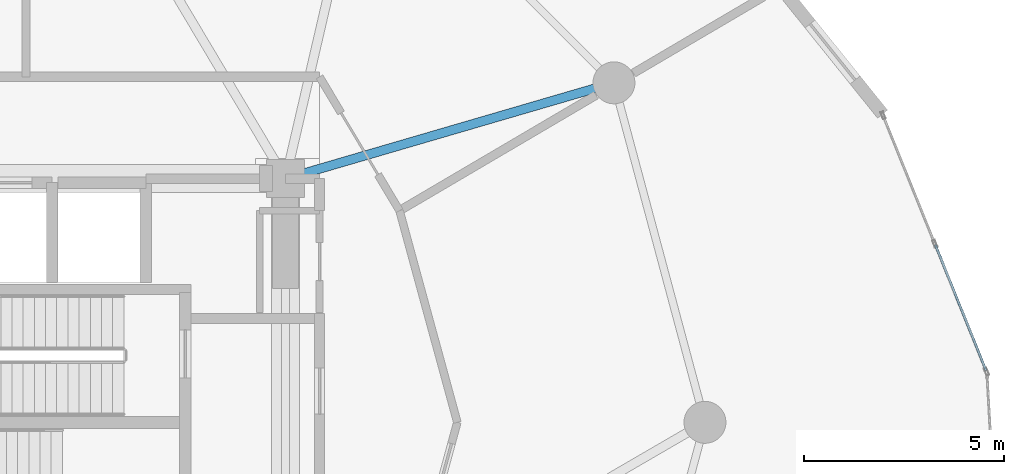
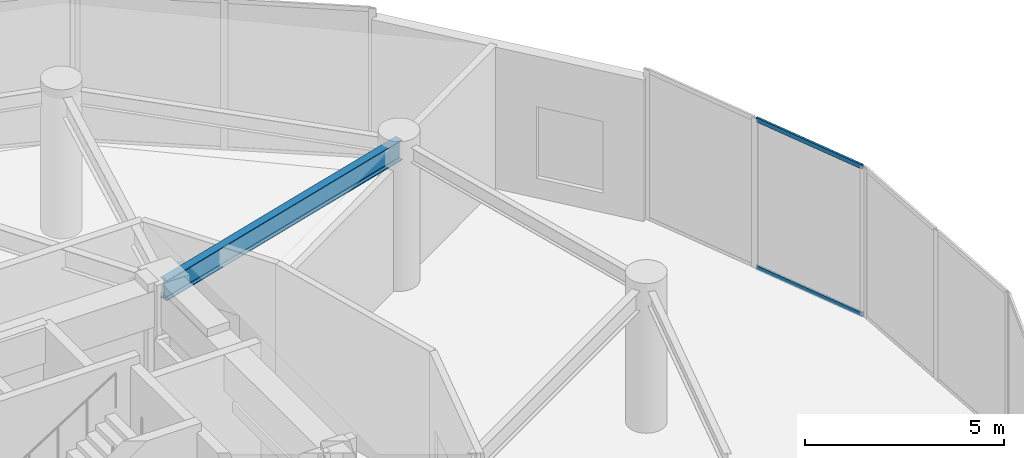
# One storey, part 16 of 28: 2 members, 1 beam, 1 element without a shape of its own.
"""IFC4 building model written with IfcOpenShell, lengths in metres."""

from ifc_helpers import new_model, si_unit, direction, frame, origin, origin_2d, place, context, subcontext, project, spatial, hollow_rectangle, i_section, extrude, source, transform, mapped, material, layer, layer_set, material_profile, profile_set, type_object, element, aggregate, save


model = new_model("IFC4")

# Units and contexts
model_context = context("Model", 3, precision=1e-05, world=origin(), true_north=direction((0.0, 1.0)))
body_context = subcontext(model_context, "Body", "Model", "MODEL_VIEW")
ifc_project = project(units=[si_unit("LENGTHUNIT", "METRE"), si_unit("AREAUNIT", "SQUARE_METRE"), si_unit("VOLUMEUNIT", "CUBIC_METRE"), si_unit("PLANEANGLEUNIT", "RADIAN"), si_unit("MASSUNIT", "GRAM", prefix="KILO")], contexts=[model_context])

# Site, building, storey
site_placement = place(None, origin())
site = spatial("IfcSite", under=ifc_project, at=site_placement, CompositionType="ELEMENT")
building_placement = place(site_placement, origin())
building = spatial("IfcBuilding", under=site, at=building_placement, Name="Solvirekh Grand Hotel", CompositionType="ELEMENT")
storey_placement = place(building_placement, frame((0.0, 0.0, 98.0)))
storey = spatial("IfcBuildingStorey", under=building, at=storey_placement, Name="L24", CompositionType="ELEMENT", Elevation=98.0)

# Beam
ifc_material_1 = material(Name="Steel S355", Category="steel")
ifc_material_profile_1 = material_profile(ifc_material_1, i_section(OverallWidth=0.22802734375, OverallDepth=0.616943359375, WebThickness=0.012939453125, FlangeThickness=0.02001953125, FilletRadius=0.014892578125, at=origin_2d()), Name="W610X140")
ifc_profile_set_1 = profile_set([ifc_material_profile_1], Name="Steel S355")
beam_type = type_object("IfcBeamType", Name="Beam_Radial_W610", PredefinedType="BEAM", material=ifc_profile_set_1)
beam_placement = place(storey_placement, frame((6.5, 6.10009765625, 4.041015625), z_axis=(0.959942195467, 0.28019811092, 0.0), x_axis=(-0.28019811092, 0.959942195467, 0.0)))
element("IfcBeam", 1, at=beam_placement, inside=storey, type_object=beam_type, Name="L24 radial floor beam R02", PredefinedType="BEAM", context=body_context, shape_type="SweptSolid", body=[
    extrude(i_section(OverallWidth=0.22802734375, OverallDepth=0.616943359375, WebThickness=0.012939453125, FlangeThickness=0.02001953125, FilletRadius=0.014892578125, at=origin_2d()), origin(), (0.0, 0.0, 1.0), 8.56494140625),
])

# Curtain wall, members
ifc_material_2 = material(Name="Anodized Bronze Aluminium 6063-T6", Category="aluminium")
ifc_layer = layer(ifc_material_2, 0.18994140625)
ifc_layer_set = layer_set([ifc_layer], Name="Anodized Bronze Aluminium 6063-T6")
curtain_wall_type = type_object("IfcCurtainWallType", Name="CW_Sys5_SkyLobbyPanoramaCW", PredefinedType="NOTDEFINED", material=ifc_layer_set)
curtain_wall_placement = place(storey_placement, origin())
curtain_wall = element("IfcCurtainWall", 2, at=curtain_wall_placement, inside=storey, type_object=curtain_wall_type, Name="L24 unitised bronze-glass curtain wall CW-L24-C03", PredefinedType="NOTDEFINED")
ifc_material_profile_2 = material_profile(ifc_material_2, hollow_rectangle(XDim=0.06005859375, YDim=0.135009765625, WallThickness=0.00390625, at=origin_2d()), Name="ALU RHS 135X60X4")
ifc_profile_set_2 = profile_set([ifc_material_profile_2], Name="Anodized Bronze Aluminium 6063-T6")
member_type = type_object("IfcMemberType", Name="CWTransom_Sys5", PredefinedType="USERDEFINED", material=ifc_profile_set_2)
shared_shape = source(origin(), body_context, "Body", "SweptSolid", [
    extrude(hollow_rectangle(XDim=0.06005859375, YDim=0.135009765625, WallThickness=0.00390625, at=origin_2d()), origin(), (0.0, 0.0, 1.0), 3.39013671875),
])
member_1_placement = place(storey_placement, frame((24.037841796875, 1.2998046875, 0.030029296875), z_axis=(-0.374257050393, 0.927325002484, 0.0), x_axis=(-0.927325002484, -0.374257050393, 0.0)))
member_1 = element("IfcMember", 3, at=member_1_placement, type_object=member_type, Name="U05 transom 1.1", ObjectType="TRANSOM", PredefinedType="USERDEFINED", context=body_context, shape_type="MappedRepresentation", body=[
    mapped(shared_shape, transform((0.0, 0.0, 0.0), x_axis=(1.0, 0.0, 0.0), y_axis=(0.0, 1.0, 0.0), z_axis=(0.0, 0.0, 1.0), scale=1.0)),
])
member_2_placement = place(storey_placement, frame((24.037841796875, 1.2998046875, 4.570068359375), z_axis=(-0.374257050393, 0.927325002484, 0.0), x_axis=(-0.927325002484, -0.374257050393, 0.0)))
member_2 = element("IfcMember", 4, at=member_2_placement, type_object=member_type, Name="U05 transom 1.2", ObjectType="TRANSOM", PredefinedType="USERDEFINED", context=body_context, shape_type="MappedRepresentation", body=[
    mapped(shared_shape, transform((0.0, 0.0, 0.0), x_axis=(1.0, 0.0, 0.0), y_axis=(0.0, 1.0, 0.0), z_axis=(0.0, 0.0, 1.0), scale=1.0)),
])
aggregate(curtain_wall, [member_1, member_2])

save(model, "model.ifc")
